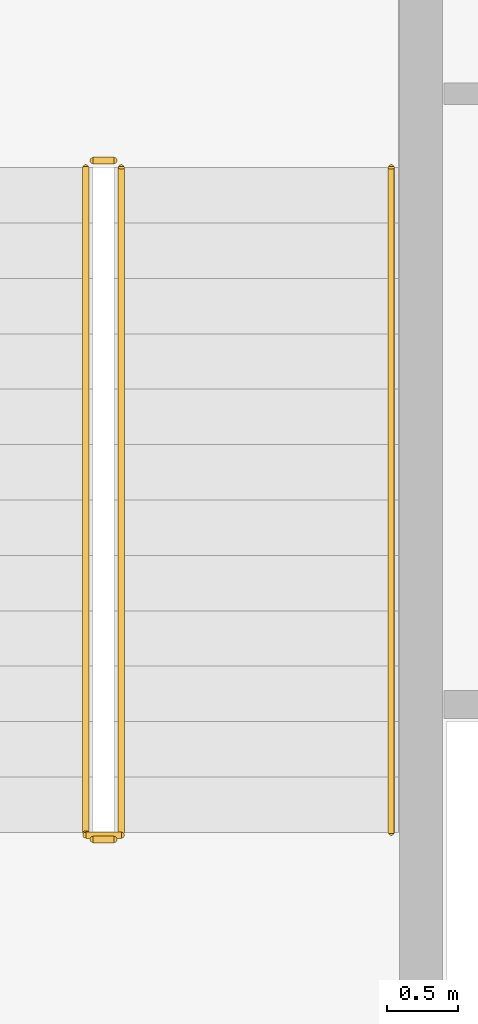
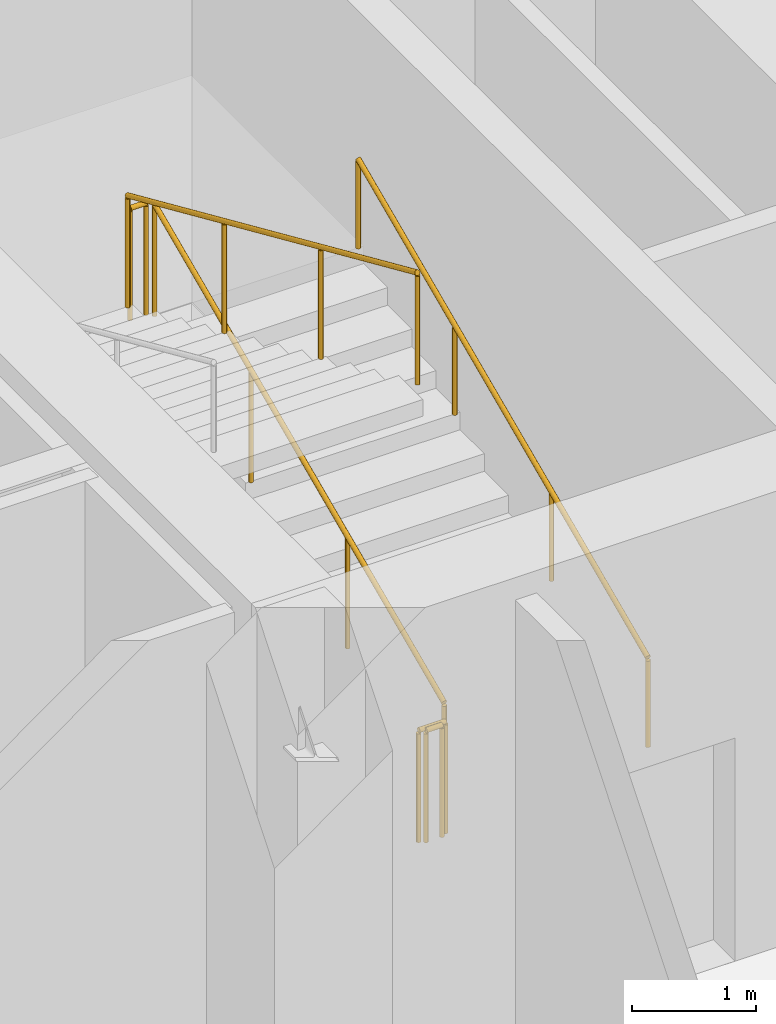
# One storey, part 28 of 29: 6 railings.
"""IFC4 building model written with IfcOpenShell, lengths in metres."""

from ifc_helpers import new_model, si_unit, direction, frame, origin, origin_2d, place, context, subcontext, project, spatial, circle, extrude, material, layer, layer_set, type_object, element, save


model = new_model("IFC4")

# Units and contexts
model_context = context("Model", 3, precision=1e-05, world=origin(), true_north=direction((0.0, 1.0)))
body_context = subcontext(model_context, "Body", "Model", "MODEL_VIEW")
ifc_project = project(units=[si_unit("LENGTHUNIT", "METRE"), si_unit("AREAUNIT", "SQUARE_METRE"), si_unit("VOLUMEUNIT", "CUBIC_METRE"), si_unit("PLANEANGLEUNIT", "RADIAN"), si_unit("MASSUNIT", "GRAM", prefix="KILO")], contexts=[model_context])

# Site, building, storey
site_placement = place(None, origin())
site = spatial("IfcSite", under=ifc_project, at=site_placement, CompositionType="ELEMENT")
building_placement = place(site_placement, origin())
building = spatial("IfcBuilding", under=site, at=building_placement, Name="Hatsunagi Terrace Concourse", CompositionType="ELEMENT")
storey_placement = place(building_placement, frame((0.0, 0.0, 32.10009765625)))
storey = spatial("IfcBuildingStorey", under=building, at=storey_placement, Name="L07", CompositionType="ELEMENT", Elevation=32.10009765625)

# Railings
ifc_material_1 = material(Name="Stainless steel", Category="steel")
ifc_layer_1 = layer(ifc_material_1, 0.044921875)
ifc_layer_set_1 = layer_set([ifc_layer_1], Name="StairPitchHandrail_Tower2000")
railing_type_1 = type_object("IfcRailingType", Name="StairPitchHandrail_Tower2000", PredefinedType="HANDRAIL", material=ifc_layer_set_1)
railing_1_placement = place(storey_placement, frame((30.330078125, 35.199951171875, 0.173095703125)))
element("IfcRailing", 1, at=railing_1_placement, inside=storey, type_object=railing_type_1, Name="L07 ST-A stair handrail 1", PredefinedType="HANDRAIL", context=body_context, shape_type="SweptSolid", body=[
    extrude(circle(Radius=0.02392578125, at=origin_2d()), frame((0.0, 0.0, 0.8759765625), z_axis=(0.0, 0.914033604373, 0.405638472137), x_axis=(-1.0, 0.0, 0.0)), (0.0, 0.0, 1.0), 5.1201171875),
    extrude(circle(Radius=0.02099609375, at=origin_2d()), origin(), (0.0, 0.0, 1.0), 0.851806640625),
    extrude(circle(Radius=0.02099609375, at=origin_2d()), frame((0.0, 1.56005859375, 0.6923828125)), (0.0, 0.0, 1.0), 0.851806640625),
    extrude(circle(Radius=0.02099609375, at=origin_2d()), frame((0.0, 3.119873046875, 1.384521484375)), (0.0, 0.0, 1.0), 0.851806640625),
    extrude(circle(Radius=0.02099609375, at=origin_2d()), frame((0.0, 4.679931640625, 2.076904296875)), (0.0, 0.0, 1.0), 0.851806640625),
])
ifc_material_2 = material(Name="Stainless steel", Category="steel")
ifc_layer_2 = layer(ifc_material_2, 0.06005859375)
ifc_layer_set_2 = layer_set([ifc_layer_2], Name="StairWellGuard_Tower2000")
railing_type_2 = type_object("IfcRailingType", Name="StairWellGuard_Tower2000", PredefinedType="BALUSTRADE", material=ifc_layer_set_2)
railing_2_placement = place(storey_placement, frame((28.429931640625, 35.199951171875, 0.173095703125)))
element("IfcRailing", 2, at=railing_2_placement, inside=storey, type_object=railing_type_2, Name="L07 ST-A stair guard 1", PredefinedType="BALUSTRADE", context=body_context, shape_type="SweptSolid", body=[
    extrude(circle(Radius=0.02392578125, at=origin_2d()), frame((0.0, 0.0, 1.09619140625), z_axis=(0.0, 0.914033604373, 0.405638472137), x_axis=(-1.0, 0.0, 0.0)), (0.0, 0.0, 1.0), 5.1201171875),
    extrude(circle(Radius=0.02099609375, at=origin_2d()), origin(), (0.0, 0.0, 1.0), 1.072021484375),
    extrude(circle(Radius=0.02099609375, at=origin_2d()), frame((0.0, 1.56005859375, 0.6923828125)), (0.0, 0.0, 1.0), 1.072021484375),
    extrude(circle(Radius=0.02099609375, at=origin_2d()), frame((0.0, 3.119873046875, 1.384521484375)), (0.0, 0.0, 1.0), 1.072021484375),
    extrude(circle(Radius=0.02099609375, at=origin_2d()), frame((0.0, 4.679931640625, 2.076904296875)), (0.0, 0.0, 1.0), 1.072021484375),
])
railing_3_placement = place(storey_placement, frame((28.3798828125, 39.929931640625, 2.25)))
element("IfcRailing", 3, at=railing_3_placement, inside=storey, type_object=railing_type_2, Name="L07 ST-A stair guard 2", PredefinedType="BALUSTRADE", context=body_context, shape_type="SweptSolid", body=[
    extrude(circle(Radius=0.02392578125, at=origin_2d()), frame((0.0, 0.0, 1.09619140625), z_axis=(-1.0, 0.0, 0.0), x_axis=(0.0, -1.0, 0.0)), (0.0, 0.0, 1.0), 0.14990234375),
    extrude(circle(Radius=0.02099609375, at=origin_2d()), origin(), (0.0, 0.0, 1.0), 1.072021484375),
    extrude(circle(Radius=0.02099609375, at=origin_2d()), frame((-0.14990234375, 0.0, 0.0)), (0.0, 0.0, 1.0), 1.072021484375),
])
railing_4_placement = place(storey_placement, frame((28.179931640625, 39.8798828125, 2.423095703125)))
element("IfcRailing", 4, at=railing_4_placement, inside=storey, type_object=railing_type_2, Name="L07 ST-A stair guard 3", PredefinedType="BALUSTRADE", context=body_context, shape_type="SweptSolid", body=[
    extrude(circle(Radius=0.02392578125, at=origin_2d()), frame((0.0, 0.0, 1.09619140625), z_axis=(0.0, -0.914033604373, 0.405638472137), x_axis=(1.0, 0.0, 0.0)), (0.0, 0.0, 1.0), 5.1201171875),
    extrude(circle(Radius=0.02099609375, at=origin_2d()), origin(), (0.0, 0.0, 1.0), 1.072021484375),
    extrude(circle(Radius=0.02099609375, at=origin_2d()), frame((0.0, -1.56005859375, 0.6923828125)), (0.0, 0.0, 1.0), 1.072021484375),
    extrude(circle(Radius=0.02099609375, at=origin_2d()), frame((0.0, -3.119873046875, 1.384521484375)), (0.0, 0.0, 1.0), 1.072021484375),
    extrude(circle(Radius=0.02099609375, at=origin_2d()), frame((0.0, -4.679931640625, 2.076904296875)), (0.0, 0.0, 1.0), 1.072021484375),
])
railing_5_placement = place(storey_placement, frame((28.3798828125, 35.14990234375, 0.0)))
element("IfcRailing", 5, at=railing_5_placement, inside=storey, type_object=railing_type_2, Name="L07 ST-A stair guard 4", PredefinedType="BALUSTRADE", context=body_context, shape_type="SweptSolid", body=[
    extrude(circle(Radius=0.02392578125, at=origin_2d()), frame((0.0, 0.0, 1.09619140625), z_axis=(-1.0, 0.0, 0.0), x_axis=(0.0, -1.0, 0.0)), (0.0, 0.0, 1.0), 0.14990234375),
    extrude(circle(Radius=0.02099609375, at=origin_2d()), origin(), (0.0, 0.0, 1.0), 1.072021484375),
    extrude(circle(Radius=0.02099609375, at=origin_2d()), frame((-0.14990234375, 0.0, 0.0)), (0.0, 0.0, 1.0), 1.072021484375),
])
ifc_material_3 = material(Name="Stainless Steel SUS316 Post-and-Rail Guard", Category="steel")
ifc_layer_3 = layer(ifc_material_3, 0.080078125)
ifc_layer_set_3 = layer_set([ifc_layer_3], Name="TerracePlantedGuardRail_1200")
railing_type_3 = type_object("IfcRailingType", Name="TerracePlantedGuardRail_1200", PredefinedType="GUARDRAIL", material=ifc_layer_set_3)
railing_6_placement = place(storey_placement, frame((28.179931640625, 35.179931640625, 0.0)))
element("IfcRailing", 6, at=railing_6_placement, inside=storey, type_object=railing_type_3, Name="Stair ST-A Well Closure Guard L07", PredefinedType="GUARDRAIL", context=body_context, shape_type="SweptSolid", body=[
    extrude(circle(Radius=0.02392578125, at=origin_2d()), frame((0.0, 0.0, 1.09619140625), z_axis=(1.0, 0.0, 0.0), x_axis=(0.0, 1.0, 0.0)), (0.0, 0.0, 1.0), 0.25),
    extrude(circle(Radius=0.02099609375, at=origin_2d()), origin(), (0.0, 0.0, 1.0), 1.072021484375),
    extrude(circle(Radius=0.02099609375, at=origin_2d()), frame((0.25, 0.0, 0.0)), (0.0, 0.0, 1.0), 1.072021484375),
])

save(model, "model.ifc")
